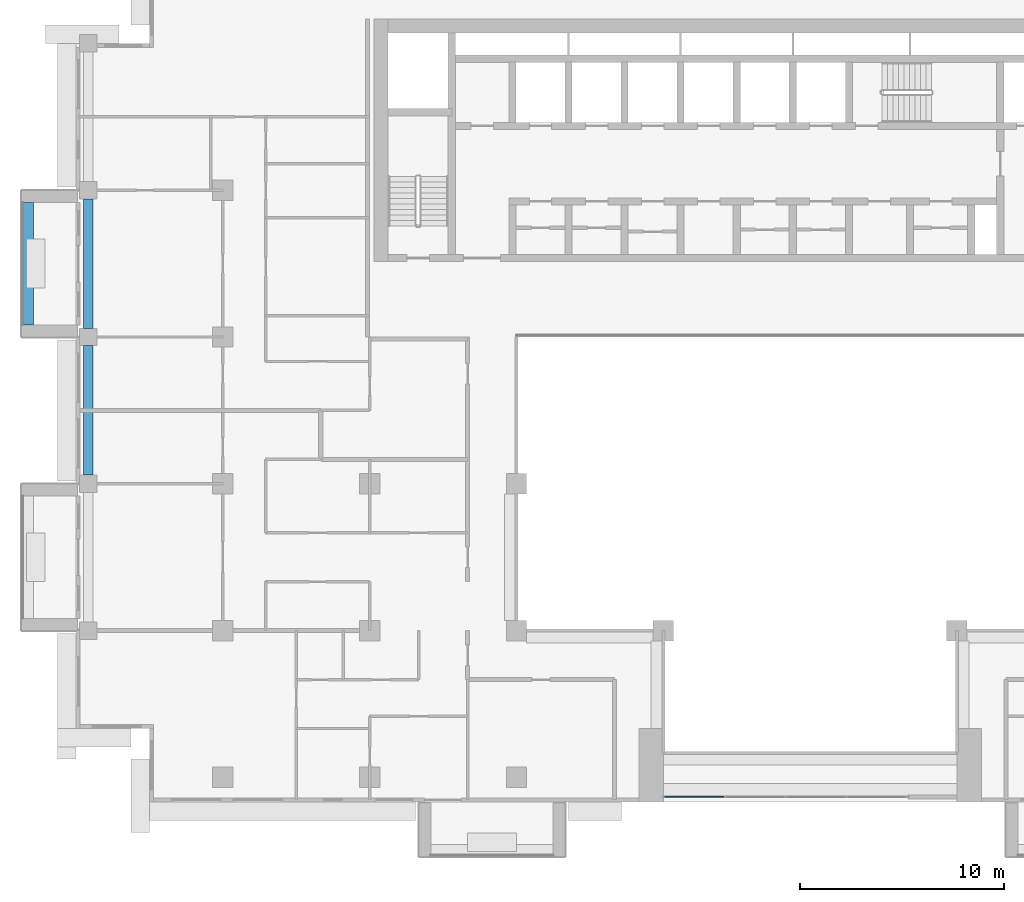
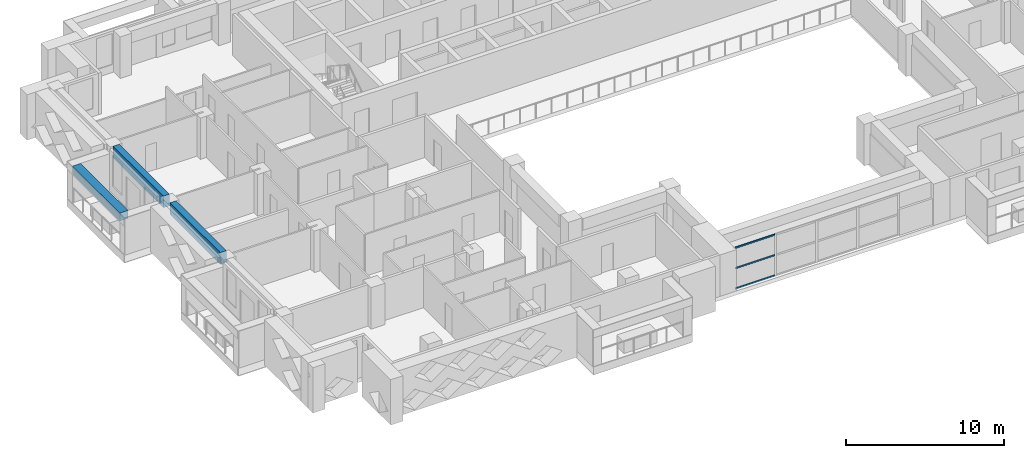
# One storey, part 3 of 20: 3 beams, 3 members, 1 element without a shape of its own.
"""IFC4 building model written with IfcOpenShell, lengths in metres."""

from ifc_helpers import new_model, si_unit, direction, frame, origin, origin_2d, place, context, subcontext, project, spatial, rectangle, extrude, source, transform, mapped, material, layer, layer_set, material_profile, profile_set, type_object, element, aggregate, save


model = new_model("IFC4")

# Units and contexts
model_context = context("Model", 3, precision=1e-05, world=origin(), true_north=direction((0.0, 1.0)))
body_context = subcontext(model_context, "Body", "Model", "MODEL_VIEW")
ifc_project = project(units=[si_unit("LENGTHUNIT", "METRE"), si_unit("AREAUNIT", "SQUARE_METRE"), si_unit("VOLUMEUNIT", "CUBIC_METRE"), si_unit("PLANEANGLEUNIT", "RADIAN"), si_unit("MASSUNIT", "GRAM", prefix="KILO")], contexts=[model_context])

# Site, building, storey
site_placement = place(None, origin())
site = spatial("IfcSite", under=ifc_project, at=site_placement, CompositionType="ELEMENT")
building_placement = place(site_placement, origin())
building = spatial("IfcBuilding", under=site, at=building_placement, Name="Saffron Iwan Residences", CompositionType="ELEMENT")
storey_placement = place(building_placement, frame((0.0, 0.0, 153.5)))
storey = spatial("IfcBuildingStorey", under=building, at=storey_placement, Name="L40", CompositionType="ELEMENT", Elevation=153.5)

# Beams
ifc_material_1 = material(Name="Concrete C50/60", Category="concrete")
ifc_material_profile_1 = material_profile(ifc_material_1, rectangle(XDim=0.449951171875, YDim=0.89990234375, at=origin_2d()), Name="RC 450x900")
ifc_profile_set_1 = profile_set([ifc_material_profile_1], Name="Concrete C50/60")
beam_type_1 = type_object("IfcBeamType", Name="SPANDREL BEAM RC 450x900 C50/60 TOP 3200", PredefinedType="SPANDREL", material=ifc_profile_set_1)
shared_shape_1 = source(origin(), body_context, "Body", "SweptSolid", [
    extrude(rectangle(XDim=0.449951171875, YDim=0.89990234375, at=origin_2d()), origin(), (0.0, 0.0, 1.0), 6.35009765625),
])
for number, where, z_axis, x_axis, name in (
    (1, (15.0, 55.625, 2.75), (0.0, 1.0, 0.0), (-1.0, 0.0, 0.0), "Spandrel beam"),
    (2, (15.0, 62.824951171875, 2.75), (0.0, 1.0, 0.0), (-1.0, 0.0, 0.0), "Spandrel beam"),
):
    element("IfcBeam", number, at=place(storey_placement, frame(where, z_axis=z_axis, x_axis=x_axis)), inside=storey, type_object=beam_type_1, Name=name, PredefinedType="SPANDREL", context=body_context, shape_type="MappedRepresentation", body=[
        mapped(shared_shape_1, transform((0.0, 0.0, 0.0))),
    ])

# Curtain wall, members
ifc_material_2 = material(Name="Clear glass, laminated double glazed", Category="glass")
ifc_layer = layer(ifc_material_2, 0.199951171875)
ifc_layer_set = layer_set([ifc_layer], Name="Clear glass, laminated double glazed")
curtain_wall_type = type_object("IfcCurtainWallType", Name="CW-B IWAN PORTAL", PredefinedType="NOTDEFINED", material=ifc_layer_set)
curtain_wall_placement = place(storey_placement, origin())
curtain_wall = element("IfcCurtainWall", 3, at=curtain_wall_placement, inside=storey, type_object=curtain_wall_type, Name="Iwan portal glazing L40.1", PredefinedType="NOTDEFINED")
ifc_material_3 = material(Name="Aluminium 6063-T6", Category="aluminium")
ifc_material_profile_2 = material_profile(ifc_material_3, rectangle(XDim=0.06005859375, YDim=0.1201171875, at=origin_2d()), Name="CW-B TRANSOM 60 x 120")
ifc_profile_set_2 = profile_set([ifc_material_profile_2], Name="Aluminium 6063-T6")
member_type = type_object("IfcMemberType", Name="CW-B TRANSOM 60 x 120", PredefinedType="USERDEFINED", material=ifc_profile_set_2)
shared_shape_2 = source(origin(), body_context, "Body", "SweptSolid", [
    extrude(rectangle(XDim=0.06005859375, YDim=0.1201171875, at=origin_2d()), origin(), (0.0, 0.0, 1.0), 2.909912109375),
])
member_1_placement = place(storey_placement, frame((43.260009765625, 39.85009765625, 0.030029296875), z_axis=(1.0, 0.0, 0.0), x_axis=(0.0, 1.0, 0.0)))
member_1 = element("IfcMember", 4, at=member_1_placement, type_object=member_type, Name="CW-B transom 1.1", ObjectType="TRANSOM", PredefinedType="USERDEFINED", context=body_context, shape_type="MappedRepresentation", body=[
    mapped(shared_shape_2, transform((0.0, 0.0, 0.0))),
])
member_2_placement = place(storey_placement, frame((43.260009765625, 39.85009765625, 1.60009765625), z_axis=(1.0, 0.0, 0.0), x_axis=(0.0, 1.0, 0.0)))
member_2 = element("IfcMember", 5, at=member_2_placement, type_object=member_type, Name="CW-B transom 1.2", ObjectType="TRANSOM", PredefinedType="USERDEFINED", context=body_context, shape_type="MappedRepresentation", body=[
    mapped(shared_shape_2, transform((0.0, 0.0, 0.0))),
])
member_3_placement = place(storey_placement, frame((43.260009765625, 39.85009765625, 3.169921875), z_axis=(1.0, 0.0, 0.0), x_axis=(0.0, 1.0, 0.0)))
member_3 = element("IfcMember", 6, at=member_3_placement, type_object=member_type, Name="CW-B transom 1.3", ObjectType="TRANSOM", PredefinedType="USERDEFINED", context=body_context, shape_type="MappedRepresentation", body=[
    mapped(shared_shape_2, transform((0.0, 0.0, 0.0))),
])
aggregate(curtain_wall, [member_1, member_2, member_3])

# Beam
ifc_material_4 = material(Name="Concrete C50/60 white painted", Category="concrete")
ifc_material_profile_3 = material_profile(ifc_material_4, rectangle(XDim=0.60009765625, YDim=0.60009765625, at=origin_2d()), Name="BALCONY FASCIA BEAM 600 x 600")
ifc_profile_set_3 = profile_set([ifc_material_profile_3], Name="Concrete C50/60 white painted")
beam_type_2 = type_object("IfcBeamType", Name="BALCONY FASCIA BEAM 600 x 600", PredefinedType="BEAM", material=ifc_profile_set_3)
shared_shape_3 = source(origin(), body_context, "Body", "SweptSolid", [
    extrude(rectangle(XDim=0.60009765625, YDim=0.60009765625, at=origin_2d()), origin(), (0.0, 0.0, 1.0), 6.0),
])
beam_placement = place(storey_placement, frame((12.0, 69.0, 2.550048828125), z_axis=(0.0, -1.0, 0.0), x_axis=(1.0, 0.0, 0.0)))
element("IfcBeam", 7, at=beam_placement, inside=storey, type_object=beam_type_2, Name="Balcony fascia beam L40 F8-0", PredefinedType="BEAM", context=body_context, shape_type="MappedRepresentation", body=[
    mapped(shared_shape_3, transform((0.0, 0.0, 0.0))),
])

save(model, "model.ifc")
